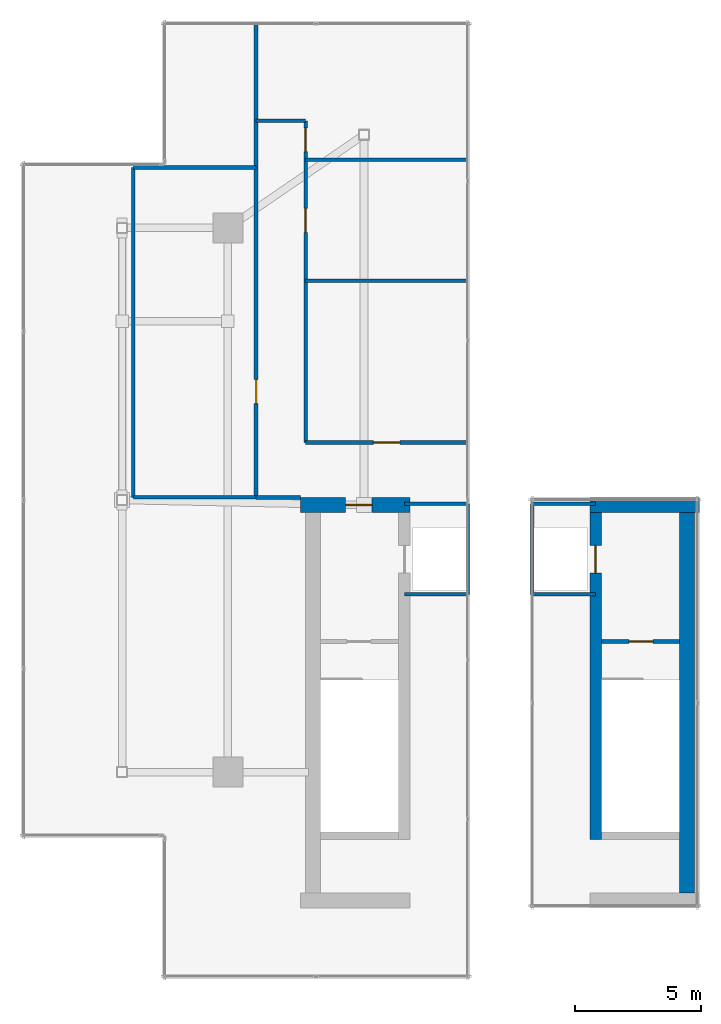
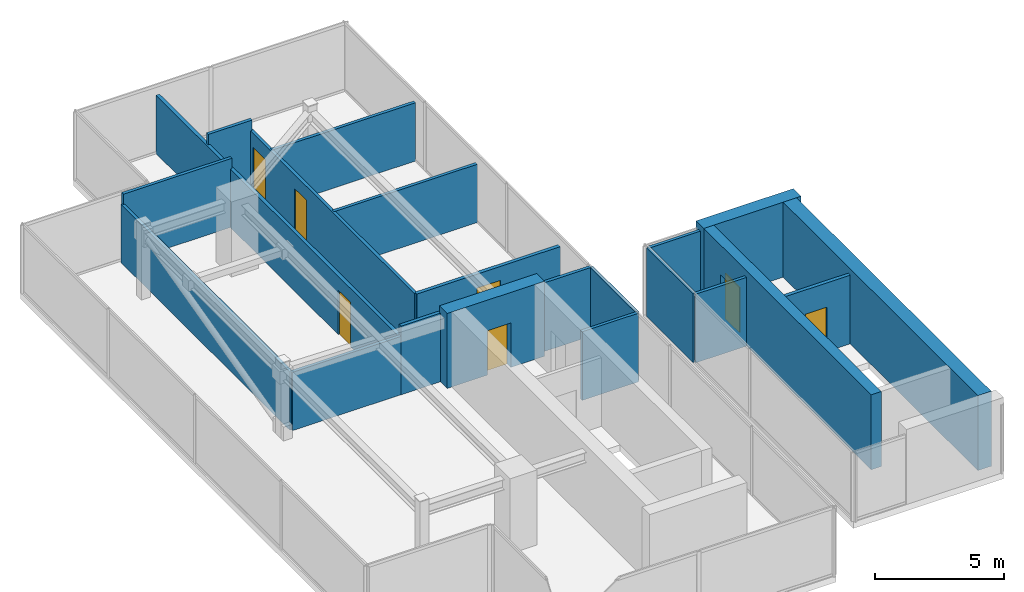
# One storey, part 15 of 16: 21 walls, 7 doors, 7 openings.
"""IFC4 building model written with IfcOpenShell, lengths in metres."""

from ifc_helpers import new_model, si_unit, direction, frame, frame_2d, origin, place, context, subcontext, project, spatial, rectangle, extrude, material, layer, layer_set, type_object, element, fill, save


model = new_model("IFC4")

# Units and contexts
model_context = context("Model", 3, precision=1e-05, world=origin(), true_north=direction((0.0, 1.0)))
body_context = subcontext(model_context, "Body", "Model", "MODEL_VIEW")
ifc_project = project(units=[si_unit("LENGTHUNIT", "METRE"), si_unit("AREAUNIT", "SQUARE_METRE"), si_unit("VOLUMEUNIT", "CUBIC_METRE"), si_unit("PLANEANGLEUNIT", "RADIAN"), si_unit("MASSUNIT", "GRAM", prefix="KILO")], contexts=[model_context])

# Site, building, storey
site_placement = place(None, origin())
site = spatial("IfcSite", under=ifc_project, at=site_placement, CompositionType="ELEMENT")
building_placement = place(site_placement, origin())
building = spatial("IfcBuilding", under=site, at=building_placement, Name="Krantzveldt Concourse Tower", CompositionType="ELEMENT")
storey_placement = place(building_placement, frame((0.0, 0.0, 385.449951171875)))
storey = spatial("IfcBuildingStorey", under=building, at=storey_placement, Name="L95", CompositionType="ELEMENT", Elevation=385.449951171875)

# Walls
ifc_material_1 = material(Name="Fire-rated gypsum plasterboard on steel stud", Category="steel")
ifc_layer_1 = layer(ifc_material_1, 0.139892578125, Name="Fire-rated gypsum plasterboard on steel stud", Category="steel")
ifc_layer_set_1 = layer_set([ifc_layer_1], Name="Fire-rated gypsum plasterboard on steel stud (WL-PART-FR140)")
wall_type_1 = type_object("IfcWallType", Name="WL-PART-FR140", PredefinedType="PARTITIONING", material=ifc_layer_set_1)
wall_1_placement = place(storey_placement, frame((34.719970703125, 22.949951171875, 0.0), z_axis=(0.0, 0.0, 1.0), x_axis=(0.0, 1.0, 0.0)))
element("IfcWall", 1, at=wall_1_placement, inside=storey, type_object=wall_type_1, Name="WP-L95-FL1E", PredefinedType="PARTITIONING", context=body_context, shape_type="SweptSolid", body=[
    extrude(rectangle(XDim=3.60009765625, YDim=0.139892578125, at=frame_2d((1.800048828125, 0.0))), origin(), (0.0, 0.0, 1.0), 3.25),
])
for number, where, z_axis, x_axis, name in (
    (2, (32.2099609375, 22.949951171875, 0.0), (0.0, 0.0, 1.0), (1.0, 0.0, 0.0), "WP-L95-FL1S"),
    (3, (32.2099609375, 26.550048828125, 0.0), (0.0, 0.0, 1.0), (1.0, 0.0, 0.0), "WP-L95-FL1N"),
):
    element("IfcWall", number, at=place(storey_placement, frame(where, z_axis=z_axis, x_axis=x_axis)), inside=storey, type_object=wall_type_1, Name=name, PredefinedType="PARTITIONING", context=body_context, shape_type="SweptSolid", body=[
        extrude(rectangle(XDim=2.510009765625, YDim=0.139892578125, at=frame_2d((1.2548828125, 0.0))), origin(), (0.0, 0.0, 1.0), 3.25),
    ])
wall_2_placement = place(storey_placement, frame((37.280029296875, 22.949951171875, 0.0), z_axis=(0.0, 0.0, 1.0), x_axis=(0.0, 1.0, 0.0)))
element("IfcWall", 4, at=wall_2_placement, inside=storey, type_object=wall_type_1, Name="WP-L95-FL2W", PredefinedType="PARTITIONING", context=body_context, shape_type="SweptSolid", body=[
    extrude(rectangle(XDim=3.60009765625, YDim=0.139892578125, at=frame_2d((1.800048828125, 0.0))), origin(), (0.0, 0.0, 1.0), 3.25),
])
for number, where, z_axis, x_axis, name in (
    (5, (37.280029296875, 22.949951171875, 0.0), (0.0, 0.0, 1.0), (1.0, 0.0, 0.0), "WP-L95-FL2S"),
    (6, (37.280029296875, 26.550048828125, 0.0), (0.0, 0.0, 1.0), (1.0, 0.0, 0.0), "WP-L95-FL2N"),
):
    element("IfcWall", number, at=place(storey_placement, frame(where, z_axis=z_axis, x_axis=x_axis)), inside=storey, type_object=wall_type_1, Name=name, PredefinedType="PARTITIONING", context=body_context, shape_type="SweptSolid", body=[
        extrude(rectangle(XDim=2.510009765625, YDim=0.139892578125, at=frame_2d((1.2548828125, 0.0))), origin(), (0.0, 0.0, 1.0), 3.25),
    ])
wall_3_placement = place(storey_placement, frame((21.449951171875, 26.800048828125, 0.0), z_axis=(0.0, 0.0, 1.0), x_axis=(0.0, 1.0, 0.0)))
element("IfcWall", 7, at=wall_3_placement, inside=storey, type_object=wall_type_1, Name="WP-L95-CWW", PredefinedType="PARTITIONING", context=body_context, shape_type="SweptSolid", body=[
    extrude(rectangle(XDim=13.099853515625, YDim=0.139892578125, at=frame_2d((6.5498046875, 0.0))), origin(), (0.0, 0.0, 1.0), 2.760009765625),
])
wall_4_placement = place(storey_placement, frame((21.449951171875, 26.800048828125, 0.0), z_axis=(0.0, 0.0, 1.0), x_axis=(1.0, 0.0, 0.0)))
element("IfcWall", 8, at=wall_4_placement, inside=storey, type_object=wall_type_1, Name="WP-L95-CWS", PredefinedType="PARTITIONING", context=body_context, shape_type="SweptSolid", body=[
    extrude(rectangle(XDim=4.8701171875, YDim=0.139892578125, at=frame_2d((2.43505859375, 0.0))), origin(), (0.0, 0.0, 1.0), 2.760009765625),
])
wall_5_placement = place(storey_placement, frame((21.449951171875, 39.89990234375, 0.0), z_axis=(0.0, 0.0, 1.0), x_axis=(1.0, 0.0, 0.0)))
element("IfcWall", 9, at=wall_5_placement, inside=storey, type_object=wall_type_1, Name="WP-L95-CWTOP", PredefinedType="PARTITIONING", context=body_context, shape_type="SweptSolid", body=[
    extrude(rectangle(XDim=4.8701171875, YDim=0.139892578125, at=frame_2d((2.43505859375, 0.0))), origin(), (0.0, 0.0, 1.0), 3.25),
])

# Wall, openings, doors
wall_6_placement = place(storey_placement, frame((28.280029296875, 28.97998046875, 0.0), z_axis=(0.0, 0.0, 1.0), x_axis=(0.0, 1.0, 0.0)))
wall_6 = element("IfcWall", 10, at=wall_6_placement, inside=storey, type_object=wall_type_1, Name="WP-L95-CNKR", PredefinedType="PARTITIONING", context=body_context, shape_type="SweptSolid", body=[
    extrude(rectangle(XDim=12.77001953125, YDim=0.139892578125, at=frame_2d((6.385009765625, 0.0))), origin(), (0.0, 0.0, 1.0), 2.760009765625),
])
opening_1_placement = place(wall_6_placement, frame((8.344970703125, 0.0, 0.0)))
opening_1 = element("IfcOpeningElement", 11, at=opening_1_placement, cuts=wall_6, Name="Opening D-FD695", PredefinedType="OPENING", context=body_context, shape_type="SweptSolid", body=[
    extrude(rectangle(XDim=0.949951171875, YDim=2.10009765625, at=frame_2d((0.47509765625, 1.050048828125))), frame((0.0, 0.080078125, 0.0), z_axis=(0.0, -1.0, 0.0), x_axis=(1.0, 0.0, 0.0)), (0.0, 0.0, 1.0), 0.159912109375),
])
opening_2_placement = place(wall_6_placement, frame((11.544921875, 0.0, 0.0)))
opening_2 = element("IfcOpeningElement", 12, at=opening_2_placement, cuts=wall_6, Name="Opening D-FD695", PredefinedType="OPENING", context=body_context, shape_type="SweptSolid", body=[
    extrude(rectangle(XDim=0.949951171875, YDim=2.10009765625, at=frame_2d((0.47509765625, 1.050048828125))), frame((0.0, 0.080078125, 0.0), z_axis=(0.0, -1.0, 0.0), x_axis=(1.0, 0.0, 0.0)), (0.0, 0.0, 1.0), 0.159912109375),
])
ifc_material_2 = material(Name="Hardwood timber", Category="wood")
door_type_1 = type_object("IfcDoorType", Name="DR-FD60-950", OperationType="SINGLE_SWING_LEFT", PredefinedType="DOOR", material=ifc_material_2)
door_1_placement = place(opening_1_placement, origin())
door_1 = element("IfcDoor", 13, at=door_1_placement, inside=storey, type_object=door_type_1, Name="DR-L95-PLT2", OperationType="SINGLE_SWING_RIGHT", OverallHeight=2.10009765625, OverallWidth=0.949951171875, PredefinedType="DOOR", context=body_context, shape_type="SweptSolid", body=[
    extrude(rectangle(XDim=0.949951171875, YDim=2.10009765625, at=frame_2d((0.47509765625, 1.050048828125))), frame((0.0, 0.02490234375, 0.0), z_axis=(0.0, -1.0, 0.0), x_axis=(1.0, 0.0, 0.0)), (0.0, 0.0, 1.0), 0.050048828125),
])
fill(opening_1, door_1)
door_2_placement = place(opening_2_placement, origin())
door_2 = element("IfcDoor", 14, at=door_2_placement, inside=storey, type_object=door_type_1, Name="DR-L95-PLT3", OperationType="SINGLE_SWING_LEFT", OverallHeight=2.10009765625, OverallWidth=0.949951171875, PredefinedType="DOOR", context=body_context, shape_type="SweptSolid", body=[
    extrude(rectangle(XDim=0.949951171875, YDim=2.10009765625, at=frame_2d((0.47509765625, 1.050048828125))), frame((0.0, 0.02490234375, 0.0), z_axis=(0.0, -1.0, 0.0), x_axis=(1.0, 0.0, 0.0)), (0.0, 0.0, 1.0), 0.050048828125),
])
fill(opening_2, door_2)

# Walls
for number, where, z_axis, x_axis, name in (
    (15, (28.280029296875, 35.39990234375, 0.0), (0.0, 0.0, 1.0), (1.0, 0.0, 0.0), "WP-L95-CDV1"),
    (16, (28.280029296875, 40.199951171875, 0.0), (0.0, 0.0, 1.0), (1.0, 0.0, 0.0), "WP-L95-CDV2"),
):
    element("IfcWall", number, at=place(storey_placement, frame(where, z_axis=z_axis, x_axis=x_axis)), inside=storey, type_object=wall_type_1, Name=name, PredefinedType="PARTITIONING", context=body_context, shape_type="SweptSolid", body=[
        extrude(rectangle(XDim=6.429931640625, YDim=0.139892578125, at=frame_2d((3.21484375, 0.0))), origin(), (0.0, 0.0, 1.0), 2.760009765625),
    ])
wall_7_placement = place(storey_placement, frame((26.320068359375, 41.75, 0.0), z_axis=(0.0, 0.0, 1.0), x_axis=(1.0, 0.0, 0.0)))
element("IfcWall", 17, at=wall_7_placement, inside=storey, type_object=wall_type_1, Name="WP-L95-CNKT", PredefinedType="PARTITIONING", context=body_context, shape_type="SweptSolid", body=[
    extrude(rectangle(XDim=1.9599609375, YDim=0.139892578125, at=frame_2d((0.97998046875, 0.0))), origin(), (0.0, 0.0, 1.0), 3.25),
])

# Wall, opening, door
ifc_layer_2 = layer(ifc_material_1, 0.159912109375, Name="Fire-rated gypsum plasterboard on steel stud", Category="steel")
ifc_layer_set_2 = layer_set([ifc_layer_2], Name="Fire-rated gypsum plasterboard on steel stud (WL-PART-FR160)")
wall_type_2 = type_object("IfcWallType", Name="WL-PART-FR160", PredefinedType="PARTITIONING", material=ifc_layer_set_2)
wall_8_placement = place(storey_placement, frame((40.02001953125, 21.080078125, 0.0), z_axis=(0.0, 0.0, 1.0), x_axis=(1.0, 0.0, 0.0)))
wall_8 = element("IfcWall", 18, at=wall_8_placement, inside=storey, type_object=wall_type_2, Name="WP-L95-ST2", PredefinedType="PARTITIONING", context=body_context, shape_type="SweptSolid", body=[
    extrude(rectangle(XDim=3.10009765625, YDim=0.159912109375, at=frame_2d((1.550048828125, 0.0))), origin(), (0.0, 0.0, 1.0), 3.25),
])
opening_3_placement = place(wall_8_placement, frame((1.10498046875, 0.0, 0.0)))
opening_3 = element("IfcOpeningElement", 19, at=opening_3_placement, cuts=wall_8, Name="Opening D-FD095", PredefinedType="OPENING", context=body_context, shape_type="SweptSolid", body=[
    extrude(rectangle(XDim=0.949951171875, YDim=2.10009765625, at=frame_2d((0.47509765625, 1.050048828125))), frame((0.0, 0.08984375, 0.0), z_axis=(0.0, -1.0, 0.0), x_axis=(1.0, 0.0, 0.0)), (0.0, 0.0, 1.0), 0.179931640625),
])
ifc_material_3 = material(Name="Galvanised steel", Category="steel")
door_type_2 = type_object("IfcDoorType", Name="DR-FD120-950", OperationType="SINGLE_SWING_LEFT", PredefinedType="DOOR", material=ifc_material_3)
door_3_placement = place(opening_3_placement, origin())
door_3 = element("IfcDoor", 20, at=door_3_placement, inside=storey, type_object=door_type_2, Name="DR-L95-ST2", OperationType="SINGLE_SWING_LEFT", OverallHeight=2.10009765625, OverallWidth=0.949951171875, PredefinedType="DOOR", context=body_context, shape_type="SweptSolid", body=[
    extrude(rectangle(XDim=0.949951171875, YDim=2.10009765625, at=frame_2d((0.47509765625, 1.050048828125))), frame((0.0, 0.02490234375, 0.0), z_axis=(0.0, -1.0, 0.0), x_axis=(1.0, 0.0, 0.0)), (0.0, 0.0, 1.0), 0.050048828125),
])
fill(opening_3, door_3)

wall_9_placement = place(storey_placement, frame((28.280029296875, 28.97998046875, 0.0), z_axis=(0.0, 0.0, 1.0), x_axis=(1.0, 0.0, 0.0)))
wall_9 = element("IfcWall", 21, at=wall_9_placement, inside=storey, type_object=wall_type_2, Name="WP-L95-CN1R", PredefinedType="PARTITIONING", context=body_context, shape_type="SweptSolid", body=[
    extrude(rectangle(XDim=6.429931640625, YDim=0.159912109375, at=frame_2d((3.21484375, 0.0))), origin(), (0.0, 0.0, 1.0), 2.760009765625),
])
opening_4_placement = place(wall_9_placement, frame((2.695068359375, 0.0, 0.0)))
opening_4 = element("IfcOpeningElement", 22, at=opening_4_placement, cuts=wall_9, Name="Opening D-FD105", PredefinedType="OPENING", context=body_context, shape_type="SweptSolid", body=[
    extrude(rectangle(XDim=1.050048828125, YDim=2.10009765625, at=frame_2d((0.52490234375, 1.050048828125))), frame((0.0, 0.08984375, 0.0), z_axis=(0.0, -1.0, 0.0), x_axis=(1.0, 0.0, 0.0)), (0.0, 0.0, 1.0), 0.179931640625),
])
door_type_3 = type_object("IfcDoorType", Name="DR-FD120-1050", OperationType="SINGLE_SWING_LEFT", PredefinedType="DOOR", material=ifc_material_3)
door_4_placement = place(opening_4_placement, origin())
door_4 = element("IfcDoor", 23, at=door_4_placement, inside=storey, type_object=door_type_3, Name="DR-L95-PLT1", OperationType="SINGLE_SWING_LEFT", OverallHeight=2.10009765625, OverallWidth=1.050048828125, PredefinedType="DOOR", context=body_context, shape_type="SweptSolid", body=[
    extrude(rectangle(XDim=1.050048828125, YDim=2.10009765625, at=frame_2d((0.52490234375, 1.050048828125))), frame((0.0, 0.02490234375, 0.0), z_axis=(0.0, -1.0, 0.0), x_axis=(1.0, 0.0, 0.0)), (0.0, 0.0, 1.0), 0.050048828125),
])
fill(opening_4, door_4)

# Wall
wall_10_placement = place(storey_placement, frame((26.320068359375, 26.800048828125, 0.0), z_axis=(0.0, 0.0, 1.0), x_axis=(1.0, 0.0, 0.0)))
element("IfcWall", 24, at=wall_10_placement, inside=storey, type_object=wall_type_2, Name="WP-L95-CS1", PredefinedType="PARTITIONING", context=body_context, shape_type="SweptSolid", body=[
    extrude(rectangle(XDim=1.760009765625, YDim=0.159912109375, at=frame_2d((0.8798828125, 0.0))), origin(), (0.0, 0.0, 1.0), 3.25),
])

# Wall, opening, door
wall_11_placement = place(storey_placement, frame((26.320068359375, 26.800048828125, 0.0), z_axis=(0.0, 0.0, 1.0), x_axis=(0.0, 1.0, 0.0)))
wall_11 = element("IfcWall", 25, at=wall_11_placement, inside=storey, type_object=wall_type_2, Name="WP-L95-CWL", PredefinedType="PARTITIONING", context=body_context, shape_type="SweptSolid", body=[
    extrude(rectangle(XDim=18.81005859375, YDim=0.159912109375, at=frame_2d((9.405029296875, 0.0))), origin(), (0.0, 0.0, 1.0), 2.760009765625),
])
opening_5_placement = place(wall_11_placement, frame((3.72509765625, 0.0, 0.0)))
opening_5 = element("IfcOpeningElement", 26, at=opening_5_placement, cuts=wall_11, Name="Opening D-FD695", PredefinedType="OPENING", context=body_context, shape_type="SweptSolid", body=[
    extrude(rectangle(XDim=0.949951171875, YDim=2.10009765625, at=frame_2d((0.47509765625, 1.050048828125))), frame((0.0, 0.08984375, 0.0), z_axis=(0.0, -1.0, 0.0), x_axis=(1.0, 0.0, 0.0)), (0.0, 0.0, 1.0), 0.179931640625),
])
door_5_placement = place(opening_5_placement, origin())
door_5 = element("IfcDoor", 27, at=door_5_placement, inside=storey, type_object=door_type_1, Name="DR-L95-PLT4", OperationType="SINGLE_SWING_LEFT", OverallHeight=2.10009765625, OverallWidth=0.949951171875, PredefinedType="DOOR", context=body_context, shape_type="SweptSolid", body=[
    extrude(rectangle(XDim=0.949951171875, YDim=2.10009765625, at=frame_2d((0.47509765625, 1.050048828125))), frame((0.0, 0.02490234375, 0.0), z_axis=(0.0, -1.0, 0.0), x_axis=(1.0, 0.0, 0.0)), (0.0, 0.0, 1.0), 0.050048828125),
])
fill(opening_5, door_5)

ifc_material_4 = material(Name="Concrete C50/60", Category="concrete")
ifc_layer_3 = layer(ifc_material_4, 0.449951171875, Name="Concrete C50/60", Category="concrete")
ifc_layer_set_3 = layer_set([ifc_layer_3], Name="Concrete C50/60 (WL-SHEAR-450)")
wall_type_3 = type_object("IfcWallType", Name="WL-SHEAR-450", PredefinedType="SHEAR", material=ifc_layer_set_3)
wall_12_placement = place(storey_placement, frame((39.794921875, 13.219970703125, 0.0), z_axis=(0.0, 0.0, 1.0), x_axis=(0.0, 1.0, 0.0)))
wall_12 = element("IfcWall", 28, at=wall_12_placement, inside=storey, type_object=wall_type_3, Name="CW-L95-EC-W", PredefinedType="SHEAR", context=body_context, shape_type="SweptSolid", body=[
    extrude(rectangle(XDim=12.97998046875, YDim=0.449951171875, at=frame_2d((6.489990234375, 0.0))), origin(), (0.0, 0.0, 1.0), 3.550048828125),
])
opening_6_placement = place(wall_12_placement, frame((10.580078125, 0.0, 0.0)))
opening_6 = element("IfcOpeningElement", 29, at=opening_6_placement, cuts=wall_12, Name="Opening LD", PredefinedType="OPENING", context=body_context, shape_type="SweptSolid", body=[
    extrude(rectangle(XDim=1.10009765625, YDim=2.14990234375, at=frame_2d((0.550048828125, 1.074951171875))), frame((0.0, 0.23486328125, 0.0), z_axis=(0.0, -1.0, 0.0), x_axis=(1.0, 0.0, 0.0)), (0.0, 0.0, 1.0), 0.469970703125),
])
ifc_material_5 = material(Name="Stainless steel 316L", Category="steel")
door_type_4 = type_object("IfcDoorType", Name="DR-SLIDE-LD1100", OperationType="DOUBLE_DOOR_SLIDING", PredefinedType="DOOR", material=ifc_material_5)
door_6_placement = place(opening_6_placement, origin())
door_6 = element("IfcDoor", 30, at=door_6_placement, inside=storey, type_object=door_type_4, Name="LD-L95-FL2", OperationType="DOUBLE_DOOR_SLIDING", OverallHeight=2.14990234375, OverallWidth=1.10009765625, PredefinedType="DOOR", context=body_context, shape_type="SweptSolid", body=[
    extrude(rectangle(XDim=1.10009765625, YDim=2.14990234375, at=frame_2d((0.550048828125, 1.074951171875))), frame((0.0, 0.02490234375, 0.0), z_axis=(0.0, -1.0, 0.0), x_axis=(1.0, 0.0, 0.0)), (0.0, 0.0, 1.0), 0.050048828125),
])
fill(opening_6, door_6)

ifc_layer_4 = layer(ifc_material_4, 0.60009765625, Name="Concrete C50/60", Category="concrete")
ifc_layer_set_4 = layer_set([ifc_layer_4], Name="Concrete C50/60 (WL-SHEAR-600)")
wall_type_4 = type_object("IfcWallType", Name="WL-SHEAR-600", PredefinedType="SHEAR", material=ifc_layer_set_4)
wall_13_placement = place(storey_placement, frame((28.080078125, 26.5, 0.0), z_axis=(0.0, 0.0, 1.0), x_axis=(1.0, 0.0, 0.0)))
wall_13 = element("IfcWall", 31, at=wall_13_placement, inside=storey, type_object=wall_type_4, Name="CW-L95-WC-N", PredefinedType="SHEAR", context=body_context, shape_type="SweptSolid", body=[
    extrude(rectangle(XDim=4.349853515625, YDim=0.60009765625, at=frame_2d((2.1748046875, 0.0))), origin(), (0.0, 0.0, 1.0), 3.550048828125),
])
opening_7_placement = place(wall_13_placement, frame((1.794921875, 0.0, 0.0)))
opening_7 = element("IfcOpeningElement", 32, at=opening_7_placement, cuts=wall_13, Name="Opening D-FD105", PredefinedType="OPENING", context=body_context, shape_type="SweptSolid", body=[
    extrude(rectangle(XDim=1.050048828125, YDim=2.10009765625, at=frame_2d((0.52490234375, 1.050048828125))), frame((0.0, 0.31005859375, 0.0), z_axis=(0.0, -1.0, 0.0), x_axis=(1.0, 0.0, 0.0)), (0.0, 0.0, 1.0), 0.6201171875),
])
door_7_placement = place(opening_7_placement, origin())
door_7 = element("IfcDoor", 33, at=door_7_placement, inside=storey, type_object=door_type_3, Name="DR-L95-FFL1", OperationType="SINGLE_SWING_LEFT", OverallHeight=2.10009765625, OverallWidth=1.050048828125, PredefinedType="DOOR", context=body_context, shape_type="SweptSolid", body=[
    extrude(rectangle(XDim=1.050048828125, YDim=2.10009765625, at=frame_2d((0.52490234375, 1.050048828125))), frame((0.0, 0.02490234375, 0.0), z_axis=(0.0, -1.0, 0.0), x_axis=(1.0, 0.0, 0.0)), (0.0, 0.0, 1.0), 0.050048828125),
])
fill(opening_7, door_7)

# Walls
wall_14_placement = place(storey_placement, frame((39.570068359375, 26.5, 0.0), z_axis=(0.0, 0.0, 1.0), x_axis=(1.0, 0.0, 0.0)))
element("IfcWall", 34, at=wall_14_placement, inside=storey, type_object=wall_type_4, Name="CW-L95-EC-N", PredefinedType="SHEAR", context=body_context, shape_type="SweptSolid", body=[
    extrude(rectangle(XDim=4.349853515625, YDim=0.60009765625, at=frame_2d((2.1748046875, 0.0))), origin(), (0.0, 0.0, 1.0), 3.550048828125),
])
wall_15_placement = place(storey_placement, frame((43.419921875, 11.10009765625, 0.0), z_axis=(0.0, 0.0, 1.0), x_axis=(0.0, 1.0, 0.0)))
element("IfcWall", 35, at=wall_15_placement, inside=storey, type_object=wall_type_4, Name="CW-L95-EC-E", PredefinedType="SHEAR", context=body_context, shape_type="SweptSolid", body=[
    extrude(rectangle(XDim=15.099853515625, YDim=0.60009765625, at=frame_2d((7.5498046875, 0.0))), origin(), (0.0, 0.0, 1.0), 3.550048828125),
])

save(model, "model.ifc")
